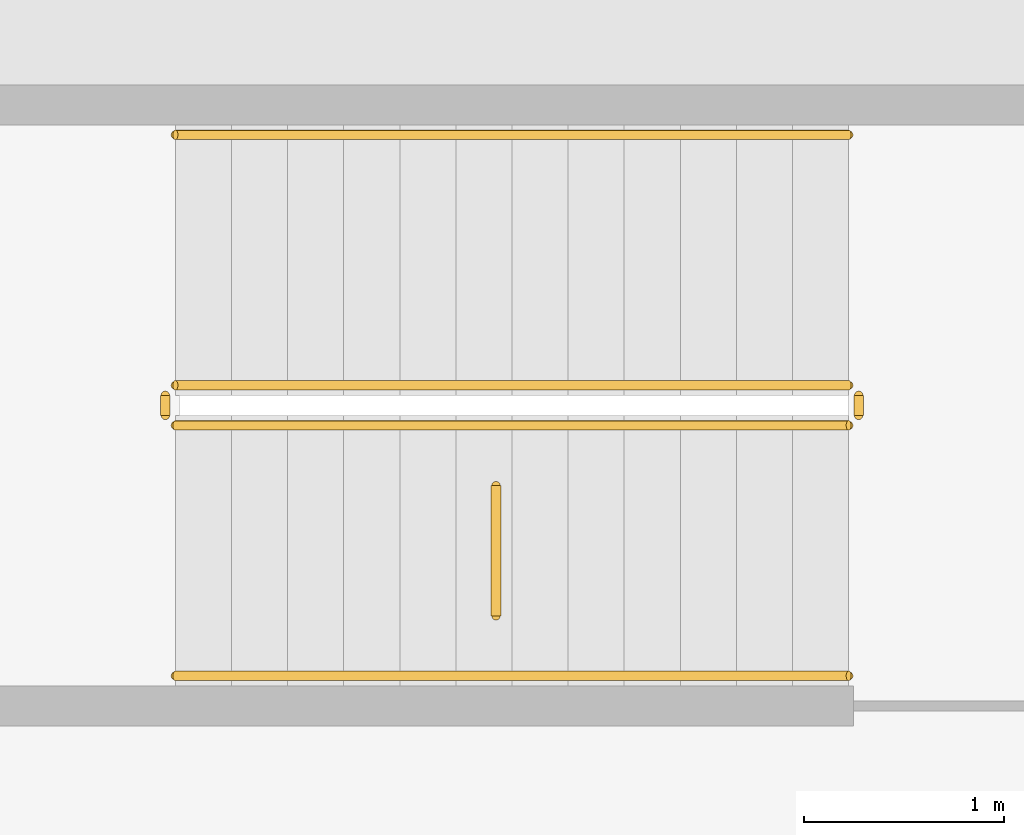
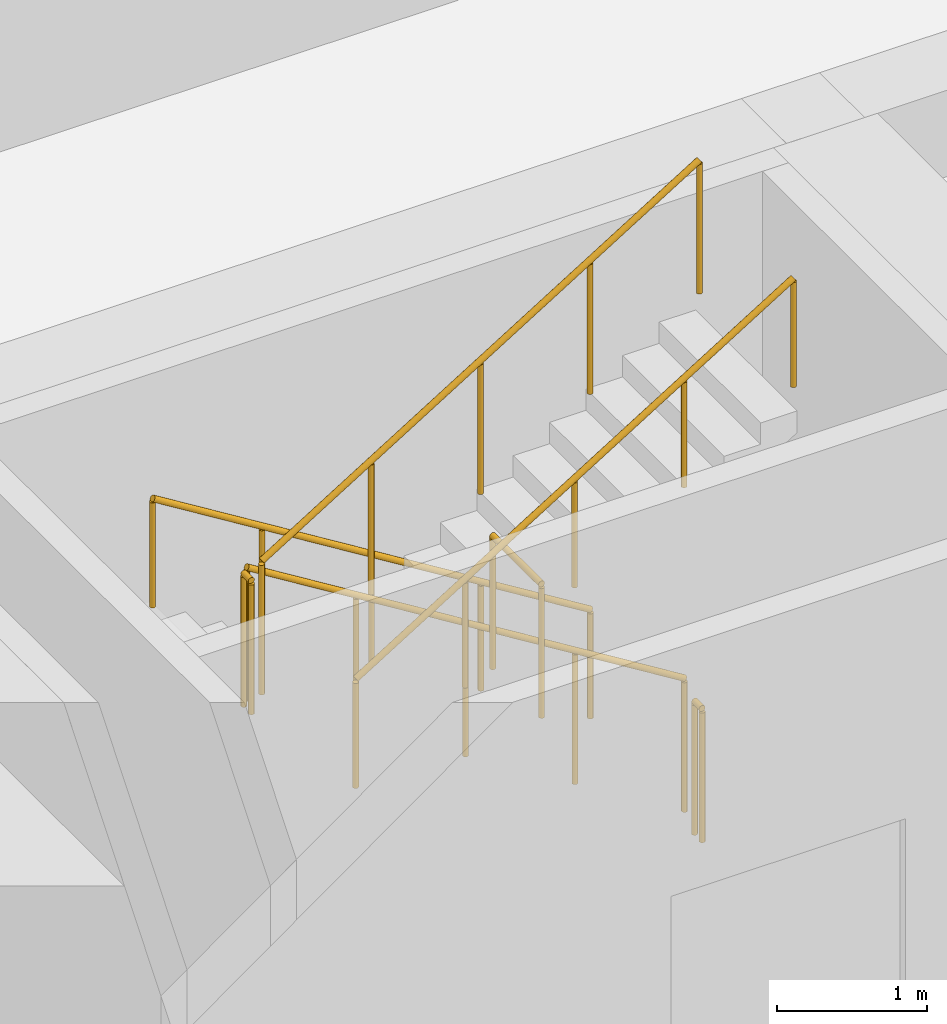
# One storey, part 20 of 21: 7 railings.
"""IFC4 building model written with IfcOpenShell, lengths in metres."""

from ifc_helpers import new_model, si_unit, direction, frame, origin, origin_2d, place, context, subcontext, project, spatial, circle, extrude, material, type_object, element, save


model = new_model("IFC4")

# Units and contexts
model_context = context("Model", 3, precision=1e-05, world=origin(), true_north=direction((0.0, 1.0)))
body_context = subcontext(model_context, "Body", "Model", "MODEL_VIEW")
ifc_project = project(units=[si_unit("LENGTHUNIT", "METRE"), si_unit("AREAUNIT", "SQUARE_METRE"), si_unit("VOLUMEUNIT", "CUBIC_METRE"), si_unit("PLANEANGLEUNIT", "RADIAN"), si_unit("MASSUNIT", "GRAM", prefix="KILO")], contexts=[model_context])

# Site, building, storey
site_placement = place(None, origin())
site = spatial("IfcSite", under=ifc_project, at=site_placement, CompositionType="ELEMENT")
building_placement = place(site_placement, origin())
building = spatial("IfcBuilding", under=site, at=building_placement, Name="Stone Belt Terrace Tower", CompositionType="ELEMENT")
storey_placement = place(building_placement, frame((0.0, 0.0, -9.0)))
storey = spatial("IfcBuildingStorey", under=building, at=storey_placement, Name="B2", CompositionType="ELEMENT", Elevation=-9.0)

# Railings
ifc_material_1 = material(Name="Structural steel C345", Category="steel")
railing_type_1 = type_object("IfcRailingType", Name="Car park guard 1100", PredefinedType="GUARDRAIL", material=ifc_material_1)
railing_1_placement = place(storey_placement, frame((22.35009765625, -3.60009765625, 0.173095703125)))
element("IfcRailing", 1, at=railing_1_placement, inside=storey, type_object=railing_type_1, Name="B2 CS4 stair guard 1", PredefinedType="GUARDRAIL", context=body_context, shape_type="SweptSolid", body=[
    extrude(circle(Radius=0.02392578125, at=origin_2d()), frame((0.0, 0.0, 1.076171875), z_axis=(-0.850623216509, 0.0, 0.525775754039), x_axis=(0.0, -1.0, 0.0)), (0.0, 0.0, 1.0), 3.9501953125),
    extrude(circle(Radius=0.02099609375, at=origin_2d()), origin(), (0.0, 0.0, 1.0), 1.052001953125),
    extrude(circle(Radius=0.02099609375, at=origin_2d()), frame((-0.840087890625, 0.0, 0.519287109375)), (0.0, 0.0, 1.0), 1.052001953125),
    extrude(circle(Radius=0.02099609375, at=origin_2d()), frame((-1.68017578125, 0.0, 1.03857421875)), (0.0, 0.0, 1.0), 1.052001953125),
    extrude(circle(Radius=0.02099609375, at=origin_2d()), frame((-2.52001953125, 0.0, 1.5576171875)), (0.0, 0.0, 1.0), 1.052001953125),
    extrude(circle(Radius=0.02099609375, at=origin_2d()), frame((-3.360107421875, 0.0, 2.076904296875)), (0.0, 0.0, 1.0), 1.052001953125),
])
railing_2_placement = place(storey_placement, frame((18.93994140625, -3.64990234375, 2.25)))
element("IfcRailing", 2, at=railing_2_placement, inside=storey, type_object=railing_type_1, Name="B2 CS4 stair guard 2", PredefinedType="GUARDRAIL", context=body_context, shape_type="SweptSolid", body=[
    extrude(circle(Radius=0.02392578125, at=origin_2d()), frame((0.0, 0.0, 1.076171875), z_axis=(0.0, -1.0, 0.0), x_axis=(1.0, 0.0, 0.0)), (0.0, 0.0, 1.0), 0.10009765625),
    extrude(circle(Radius=0.02099609375, at=origin_2d()), origin(), (0.0, 0.0, 1.0), 1.052001953125),
    extrude(circle(Radius=0.02099609375, at=origin_2d()), frame((0.0, -0.10009765625, 0.0)), (0.0, 0.0, 1.0), 1.052001953125),
])
railing_3_placement = place(storey_placement, frame((18.989990234375, -3.800048828125, 2.423095703125)))
element("IfcRailing", 3, at=railing_3_placement, inside=storey, type_object=railing_type_1, Name="B2 CS4 stair guard 3", PredefinedType="GUARDRAIL", context=body_context, shape_type="SweptSolid", body=[
    extrude(circle(Radius=0.02392578125, at=origin_2d()), frame((0.0, 0.0, 1.076171875), z_axis=(0.850623216509, 0.0, 0.525775754039), x_axis=(0.0, 1.0, 0.0)), (0.0, 0.0, 1.0), 3.9501953125),
    extrude(circle(Radius=0.02099609375, at=origin_2d()), origin(), (0.0, 0.0, 1.0), 1.052001953125),
    extrude(circle(Radius=0.02099609375, at=origin_2d()), frame((0.840087890625, 0.0, 0.519287109375)), (0.0, 0.0, 1.0), 1.052001953125),
    extrude(circle(Radius=0.02099609375, at=origin_2d()), frame((1.68017578125, 0.0, 1.03857421875)), (0.0, 0.0, 1.0), 1.052001953125),
    extrude(circle(Radius=0.02099609375, at=origin_2d()), frame((2.52001953125, 0.0, 1.5576171875)), (0.0, 0.0, 1.0), 1.052001953125),
    extrude(circle(Radius=0.02099609375, at=origin_2d()), frame((3.360107421875, 0.0, 2.076904296875)), (0.0, 0.0, 1.0), 1.052001953125),
])
railing_4_placement = place(storey_placement, frame((22.39990234375, -3.64990234375, 0.0)))
element("IfcRailing", 4, at=railing_4_placement, inside=storey, type_object=railing_type_1, Name="B2 CS4 stair guard 4", PredefinedType="GUARDRAIL", context=body_context, shape_type="SweptSolid", body=[
    extrude(circle(Radius=0.02392578125, at=origin_2d()), frame((0.0, 0.0, 1.076171875), z_axis=(0.0, -1.0, 0.0), x_axis=(1.0, 0.0, 0.0)), (0.0, 0.0, 1.0), 0.10009765625),
    extrude(circle(Radius=0.02099609375, at=origin_2d()), origin(), (0.0, 0.0, 1.0), 1.052001953125),
    extrude(circle(Radius=0.02099609375, at=origin_2d()), frame((0.0, -0.10009765625, 0.0)), (0.0, 0.0, 1.0), 1.052001953125),
])
railing_5_placement = place(storey_placement, frame((20.590087890625, -4.75, 2.25)))
element("IfcRailing", 5, at=railing_5_placement, inside=storey, type_object=railing_type_1, Name="Car park stair landing guard", PredefinedType="GUARDRAIL", context=body_context, shape_type="SweptSolid", body=[
    extrude(circle(Radius=0.02392578125, at=origin_2d()), frame((0.0, 0.0, 1.076171875), z_axis=(0.0, 1.0, 0.0), x_axis=(-1.0, 0.0, 0.0)), (0.0, 0.0, 1.0), 0.64990234375),
    extrude(circle(Radius=0.02099609375, at=origin_2d()), origin(), (0.0, 0.0, 1.0), 1.052001953125),
    extrude(circle(Radius=0.02099609375, at=origin_2d()), frame((0.0, 0.64990234375, 0.0)), (0.0, 0.0, 1.0), 1.052001953125),
])
ifc_material_2 = material(Name="Stainless steel", Category="steel")
railing_type_2 = type_object("IfcRailingType", Name="Car park handrail 900", PredefinedType="HANDRAIL", material=ifc_material_2)
railing_6_placement = place(storey_placement, frame((22.35009765625, -2.35009765625, 0.173095703125)))
element("IfcRailing", 6, at=railing_6_placement, inside=storey, type_object=railing_type_2, Name="B2 CS4 stair handrail 1", PredefinedType="HANDRAIL", context=body_context, shape_type="SweptSolid", body=[
    extrude(circle(Radius=0.02392578125, at=origin_2d()), frame((0.0, 0.0, 0.8759765625), z_axis=(-0.850623216509, 0.0, 0.525775754039), x_axis=(0.0, -1.0, 0.0)), (0.0, 0.0, 1.0), 3.9501953125),
    extrude(circle(Radius=0.02099609375, at=origin_2d()), origin(), (0.0, 0.0, 1.0), 0.851806640625),
    extrude(circle(Radius=0.02099609375, at=origin_2d()), frame((-0.840087890625, 0.0, 0.519287109375)), (0.0, 0.0, 1.0), 0.851806640625),
    extrude(circle(Radius=0.02099609375, at=origin_2d()), frame((-1.68017578125, 0.0, 1.03857421875)), (0.0, 0.0, 1.0), 0.851806640625),
    extrude(circle(Radius=0.02099609375, at=origin_2d()), frame((-2.52001953125, 0.0, 1.5576171875)), (0.0, 0.0, 1.0), 0.851806640625),
    extrude(circle(Radius=0.02099609375, at=origin_2d()), frame((-3.360107421875, 0.0, 2.076904296875)), (0.0, 0.0, 1.0), 0.851806640625),
])
railing_7_placement = place(storey_placement, frame((18.989990234375, -5.050048828125, 2.423095703125)))
element("IfcRailing", 7, at=railing_7_placement, inside=storey, type_object=railing_type_2, Name="B2 CS4 stair handrail 2", PredefinedType="HANDRAIL", context=body_context, shape_type="SweptSolid", body=[
    extrude(circle(Radius=0.02392578125, at=origin_2d()), frame((0.0, 0.0, 0.8759765625), z_axis=(0.850623216509, 0.0, 0.525775754039), x_axis=(0.0, 1.0, 0.0)), (0.0, 0.0, 1.0), 3.9501953125),
    extrude(circle(Radius=0.02099609375, at=origin_2d()), origin(), (0.0, 0.0, 1.0), 0.851806640625),
    extrude(circle(Radius=0.02099609375, at=origin_2d()), frame((0.840087890625, 0.0, 0.519287109375)), (0.0, 0.0, 1.0), 0.851806640625),
    extrude(circle(Radius=0.02099609375, at=origin_2d()), frame((1.68017578125, 0.0, 1.03857421875)), (0.0, 0.0, 1.0), 0.851806640625),
    extrude(circle(Radius=0.02099609375, at=origin_2d()), frame((2.52001953125, 0.0, 1.5576171875)), (0.0, 0.0, 1.0), 0.851806640625),
    extrude(circle(Radius=0.02099609375, at=origin_2d()), frame((3.360107421875, 0.0, 2.076904296875)), (0.0, 0.0, 1.0), 0.851806640625),
])

save(model, "model.ifc")
